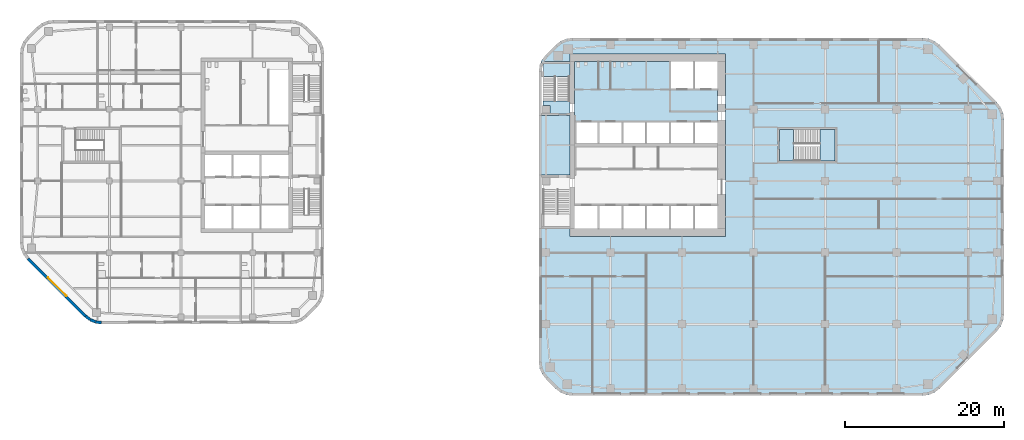
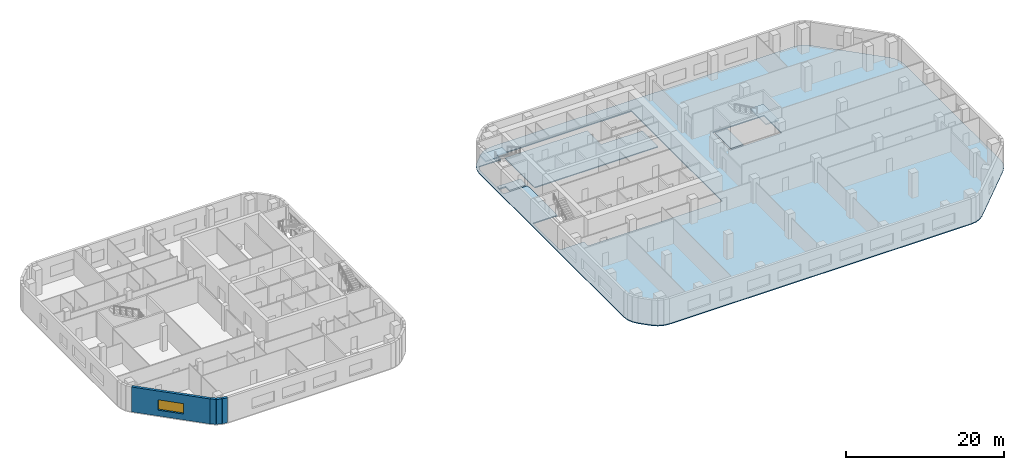
# One storey, part 4 of 16: 6 slabs, 4 walls, 1 window, 1 opening, 2 elements without a shape of their own.
"""IFC4 building model written with IfcOpenShell, lengths in metres."""

from ifc_helpers import new_model, si_unit, direction, frame, frame_2d, origin, place, context, subcontext, project, spatial, polyline, rectangle, outline, extrude, material, layer, layer_set, type_object, element, fill, aggregate, save


model = new_model("IFC4")

# Units and contexts
model_context = context("Model", 3, precision=1e-05, world=origin(), true_north=direction((0.0, 1.0)))
body_context = subcontext(model_context, "Body", "Model", "MODEL_VIEW")
ifc_project = project(units=[si_unit("LENGTHUNIT", "METRE"), si_unit("AREAUNIT", "SQUARE_METRE"), si_unit("VOLUMEUNIT", "CUBIC_METRE"), si_unit("PLANEANGLEUNIT", "RADIAN"), si_unit("MASSUNIT", "GRAM", prefix="KILO")], contexts=[model_context])

# Site, building, storey
site_placement = place(None, origin())
site = spatial("IfcSite", under=ifc_project, at=site_placement, CompositionType="ELEMENT")
building_placement = place(site_placement, origin())
building = spatial("IfcBuilding", under=site, at=building_placement, Name="Cinnabar Reach Civic Tower", CompositionType="ELEMENT")
storey_placement = place(building_placement, frame((0.0, 0.0, 79.0)))
storey = spatial("IfcBuildingStorey", under=building, at=storey_placement, Name="L18", CompositionType="ELEMENT", Elevation=79.0)

# Slab
ifc_material_1 = material(Name="Concrete C40", Category="concrete")
ifc_layer_1 = layer(ifc_material_1, 0.15)
ifc_layer_set_1 = layer_set([ifc_layer_1], Name="Composite floor slab 150 REI 150")
slab_type_1 = type_object("IfcSlabType", Name="Composite floor slab 150 REI 150", PredefinedType="FLOOR", material=ifc_layer_set_1)
slab_1_placement = place(storey_placement, frame((0.0, 0.0, -0.15)))
element("IfcSlab", 1, at=slab_1_placement, inside=storey, type_object=slab_type_1, Name="Composite floor slab 150 T1 L18", PredefinedType="FLOOR", context=body_context, shape_type="SweptSolid", body=[
    extrude(outline(polyline([(0.8787, 2.1213), (0.4019, 2.7426), (0.1022, 3.4662), (0.0, 4.2426), (0.0, 40.7574), (0.1022, 41.5338), (0.4019, 42.2574), (0.8787, 42.8787), (2.1213, 44.1213), (2.7426, 44.5981), (3.4662, 44.8978), (4.2426, 45.0), (48.2574, 45.0), (49.0338, 44.8978), (49.7574, 44.5981), (50.3787, 44.1213), (57.6213, 36.8787), (58.0981, 36.2574), (58.3978, 35.5338), (58.5, 34.7574), (58.5, 10.2426), (58.3978, 9.4662), (58.0981, 8.7426), (57.6213, 8.1213), (50.3787, 0.8787), (49.7574, 0.4019), (49.0338, 0.1022), (48.2574, 0.0), (4.2426, 0.0), (3.4662, 0.1022), (2.7426, 0.4019), (2.1213, 0.8787), (0.8787, 2.1213)]), holes=[polyline([(0.36, 21.0), (3.9, 21.0), (3.9, 20.0), (23.5, 20.0), (23.5, 43.0), (3.9, 43.0), (3.9, 42.0), (0.685, 42.0), (0.453, 41.4398), (0.36, 40.7338), (0.36, 35.25), (3.9, 35.25), (3.9, 27.75), (0.36, 27.75), (0.36, 21.0)]), polyline([(30.0, 33.75), (30.0, 29.25), (37.5, 29.25), (37.5, 33.75), (30.0, 33.75)])]), origin(), (0.0, 0.0, 1.0), 0.15),
])

# Stair, slabs
ifc_material_2 = material(Name="Concrete C40/50", Category="concrete")
stair_type = type_object("IfcStairType", Name="T1 Exit stair, half-turn", PredefinedType="HALF_TURN_STAIR", material=ifc_material_2)
stair_1_placement = place(storey_placement, origin())
stair_1 = element("IfcStair", 2, at=stair_1_placement, inside=storey, type_object=stair_type, Name="Stair T1-S2", PredefinedType="HALF_TURN_STAIR")
ifc_layer_2 = layer(ifc_material_2, 0.2)
ifc_layer_set_2 = layer_set([ifc_layer_2], Name="T1 Stair landing 200, Concrete C40/50")
slab_type_2 = type_object("IfcSlabType", Name="T1 Stair landing 200, Concrete C40/50", PredefinedType="LANDING", material=ifc_layer_set_2)
slab_2_placement = place(storey_placement, frame((0.0, 0.0, -0.2)))
slab_2 = element("IfcSlab", 3, at=slab_2_placement, type_object=slab_type_2, Name="T1-S2 landing 1", PredefinedType="LANDING", context=body_context, shape_type="SweptSolid", body=[
    extrude(outline(polyline([(0.5, 37.05), (3.9, 37.05), (3.9, 35.5), (1.4, 35.5), (1.4, 36.5), (0.5, 36.5), (0.5, 37.05)])), origin(), (0.0, 0.0, 1.0), 0.2),
])
slab_3_placement = place(storey_placement, frame((0.0, 0.0, 1.8)))
slab_3 = element("IfcSlab", 4, at=slab_3_placement, type_object=slab_type_2, Name="T1-S2 landing 2", PredefinedType="LANDING", context=body_context, shape_type="SweptSolid", body=[
    extrude(outline(polyline([(0.6, 40.13), (0.6, 41.75), (3.9, 41.75), (3.9, 40.13), (0.6, 40.13)])), origin(), (0.0, 0.0, 1.0), 0.2),
])
aggregate(stair_1, [slab_2, slab_3])

stair_2_placement = place(storey_placement, origin())
stair_2 = element("IfcStair", 5, at=stair_2_placement, inside=storey, type_object=stair_type, Name="Stair T1-S3", PredefinedType="HALF_TURN_STAIR")
slab_4_placement = place(storey_placement, frame((0.0, 0.0, -0.2)))
slab_4 = element("IfcSlab", 6, at=slab_4_placement, type_object=slab_type_2, Name="T1-S3 landing 1", PredefinedType="LANDING", context=body_context, shape_type="SweptSolid", body=[
    extrude(outline(polyline([(30.25, 29.5), (32.05, 29.5), (32.05, 33.5), (30.25, 33.5), (30.25, 29.5)])), origin(), (0.0, 0.0, 1.0), 0.2),
])
slab_5_placement = place(storey_placement, frame((0.0, 0.0, 1.8)))
slab_5 = element("IfcSlab", 7, at=slab_5_placement, type_object=slab_type_2, Name="T1-S3 landing 2", PredefinedType="LANDING", context=body_context, shape_type="SweptSolid", body=[
    extrude(outline(polyline([(35.35, 29.5), (37.25, 29.5), (37.25, 33.5), (35.35, 33.5), (35.35, 29.5)])), origin(), (0.0, 0.0, 1.0), 0.2),
])
aggregate(stair_2, [slab_4, slab_5])

# Slab
ifc_layer_3 = layer(ifc_material_2, 0.15)
ifc_layer_set_3 = layer_set([ifc_layer_3], Name="T1 core floor slab 150")
slab_type_3 = type_object("IfcSlabType", Name="T1 core floor slab 150", PredefinedType="FLOOR", material=ifc_layer_set_3)
slab_6_placement = place(storey_placement, frame((0.0, 0.0, -0.15)))
element("IfcSlab", 8, at=slab_6_placement, inside=storey, type_object=slab_type_3, Name="Core floor slab L18", PredefinedType="FLOOR", context=body_context, shape_type="SweptSolid", body=[
    extrude(outline(polyline([(22.5, 34.5), (19.5, 34.5), (16.5, 34.5), (13.5, 34.5), (10.5, 34.5), (7.5, 34.5), (4.5, 34.5), (4.5, 42.0), (16.5, 42.0), (16.5, 38.5), (19.5, 38.5), (22.5, 38.5), (22.5, 34.5)])), origin(), (0.0, 0.0, 1.0), 0.15),
])

# Walls
ifc_material_3 = material(Name="Facing brick with insulated backing", Category="masonry")
ifc_layer_4 = layer(ifc_material_3, 0.36)
ifc_layer_set_4 = layer_set([ifc_layer_4], Name="Brick corner wall")
wall_type_1 = type_object("IfcWallType", Name="Brick corner wall", PredefinedType="STANDARD", material=ifc_layer_set_4)
wall_1_placement = place(storey_placement, frame((-56.9913, 10.0002, 0.0), z_axis=(0.0, 0.0, 1.0), x_axis=(0.793321924995, -0.608802368033, 0.0)))
element("IfcWall", 9, at=wall_1_placement, inside=storey, type_object=wall_type_1, Name="Brick corner wall", PredefinedType="STANDARD", context=body_context, shape_type="SweptSolid", body=[
    extrude(rectangle(XDim=0.7132, YDim=0.36, at=frame_2d((0.3566, 0.0))), origin(), (0.0, 0.0, 1.0), 3.85),
])
for number, where, z_axis, x_axis, name in (
    (10, (-56.4061, 9.5548, 0.0), (0.0, 0.0, 1.0), (0.923871547278, -0.382702709855, 0.0), "Brick corner wall"),
    (11, (-55.7256, 9.2761, 0.0), (0.0, 0.0, 1.0), (0.99144092581, -0.13055608231, 0.0), "Brick corner wall"),
):
    element("IfcWall", number, at=place(storey_placement, frame(where, z_axis=z_axis, x_axis=x_axis)), inside=storey, type_object=wall_type_1, Name=name, PredefinedType="STANDARD", context=body_context, shape_type="SweptSolid", body=[
        extrude(rectangle(XDim=0.7131, YDim=0.36, at=frame_2d((0.3565, 0.0))), origin(), (0.0, 0.0, 1.0), 3.85),
    ])

# Wall, opening, window
ifc_layer_5 = layer(ifc_material_3, 0.36)
ifc_layer_set_5 = layer_set([ifc_layer_5], Name="Brick pier and spandrel wall")
wall_type_2 = type_object("IfcWallType", Name="Brick pier and spandrel wall", PredefinedType="STANDARD", material=ifc_layer_set_5)
wall_2_placement = place(storey_placement, frame((-64.244, 17.2486, 0.0), z_axis=(0.0, 0.0, 1.0), x_axis=(0.707106781187, -0.707106781187, 0.0)))
wall_2 = element("IfcWall", 12, at=wall_2_placement, inside=storey, type_object=wall_type_2, Name="Brick facade wall", PredefinedType="STANDARD", context=body_context, shape_type="SweptSolid", body=[
    extrude(rectangle(XDim=10.2426, YDim=0.36, at=frame_2d((5.1213, 0.0))), origin(), (0.0, 0.0, 1.0), 3.85),
])
opening_placement = place(wall_2_placement, frame((3.4713, 0.0, 0.9)))
opening = element("IfcOpeningElement", 13, at=opening_placement, cuts=wall_2, Name="Opening W2602", PredefinedType="OPENING", context=body_context, shape_type="SweptSolid", body=[
    extrude(rectangle(XDim=3.3, YDim=1.6, at=frame_2d((1.65, 0.8))), frame((0.0, 0.19, 0.0), z_axis=(0.0, -1.0, 0.0), x_axis=(1.0, 0.0, 0.0)), (0.0, 0.0, 1.0), 0.38),
])
ifc_material_4 = material(Name="Clear double glazing in aluminium frame", Category="aluminium")
window_type = type_object("IfcWindowType", Name="Deep-set window A", PartitioningType="SINGLE_PANEL", PredefinedType="WINDOW", material=ifc_material_4)
window_placement = place(opening_placement, origin())
window = element("IfcWindow", 14, at=window_placement, inside=storey, type_object=window_type, Name="Window southwest face", OverallHeight=1.6, OverallWidth=3.3, PartitioningType="SINGLE_PANEL", PredefinedType="WINDOW", context=body_context, shape_type="SweptSolid", body=[
    extrude(rectangle(XDim=3.3, YDim=1.6, at=frame_2d((1.65, 0.8))), frame((0.0, 0.13, 0.0), z_axis=(0.0, -1.0, 0.0), x_axis=(1.0, 0.0, 0.0)), (0.0, 0.0, 1.0), 0.06),
])
fill(opening, window)

save(model, "model.ifc")
